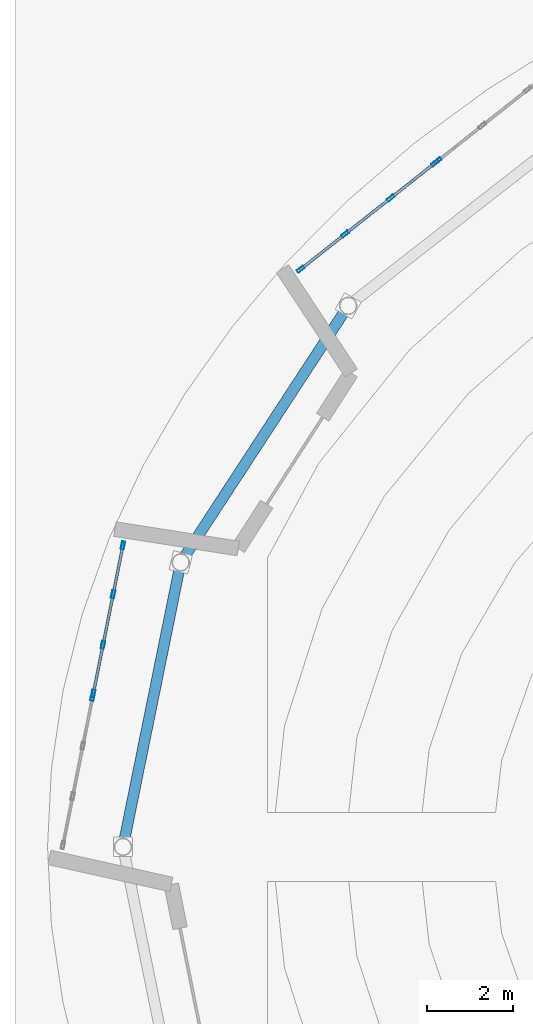
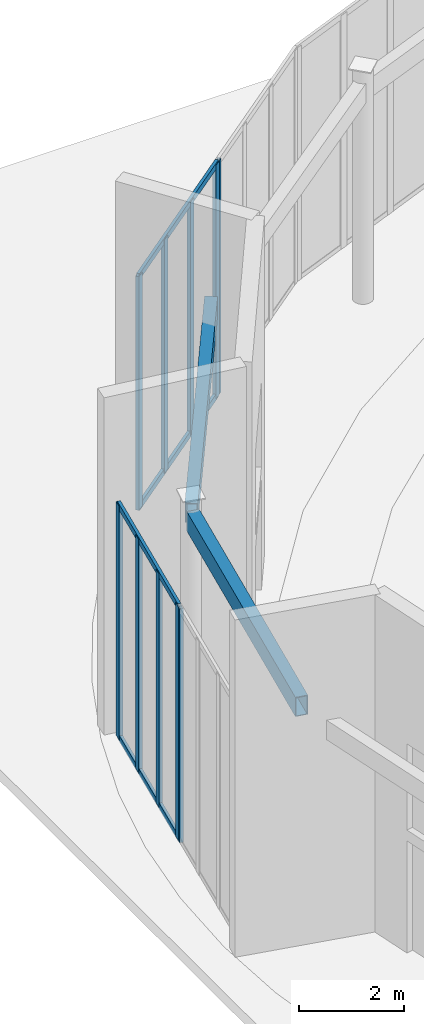
# One storey, part 38 of 94: 14 members, 2 beams, 4 elements without a shape of their own.
"""IFC4 building model written with IfcOpenShell, lengths in metres."""

import ifcopenshell
import ifcopenshell.guid

model = None  # the IFC model being written
_history = None  # IfcOwnerHistory: only IFC2X3 demands one
_inside = {}  # id of a spatial element -> (the spatial element, [elements in it])
_under = {}  # id of a project, library or spatial element -> (it, [spatial elements below it])
_declared = {}  # id of a project -> (the project, [libraries it declares])
_typed = {}  # id of a type object -> (the type object, [elements of that type])
_made_of = {}  # id of a material, layer set ... -> (it, [elements and type objects made of it])


def new_model(schema):
    """Start an empty IFC model of exactly this schema.

    Asked for "IFC4X3", IfcOpenShell would pick the latest addendum, in which some entities
    have other attributes; the version numbers below select the first issue.
    IFC2X3 requires an IfcOwnerHistory on every rooted entity: one is made here for all.
    """
    global model, _history
    if schema == "IFC4X3":
        model = ifcopenshell.file(schema_version=(4, 3, 0, 0))
    else:
        model = ifcopenshell.file(schema=schema)
    _inside.clear()
    _under.clear()
    _declared.clear()
    _typed.clear()
    _made_of.clear()
    _history = None
    if model.schema == "IFC2X3":
        org = make("IfcOrganization", Name="unknown")
        user = make(
            "IfcPersonAndOrganization",
            ThePerson=make("IfcPerson", FamilyName="unknown"),
            TheOrganization=org,
        )
        app = make(
            "IfcApplication",
            ApplicationDeveloper=org,
            Version="unknown",
            ApplicationFullName="unknown",
            ApplicationIdentifier="unknown",
        )
        _history = make(
            "IfcOwnerHistory",
            OwningUser=user,
            OwningApplication=app,
            ChangeAction="ADDED",
            CreationDate=0,
        )
    return model


def make(cls, **values):
    """One entity of the class cls with the attributes given. An attribute that is None is left unset."""
    return model.create_entity(
        cls, **{name: value for name, value in values.items() if value is not None}
    )


def rooted(cls, **values):
    """An entity with a GlobalId (a new one), such as an element, a storey or a relation."""
    return make(cls, GlobalId=ifcopenshell.guid.new(), OwnerHistory=_history, **values)


def si_unit(unit_type, name, prefix=None):
    """IfcSIUnit, for example si_unit("LENGTHUNIT", "METRE", prefix="MILLI")."""
    return make("IfcSIUnit", UnitType=unit_type, Prefix=prefix, Name=name)


def assignment(units):
    """IfcUnitAssignment: the units of a project."""
    return None if units is None else make("IfcUnitAssignment", Units=units)


def point(xyz):
    """IfcCartesianPoint."""
    return None if xyz is None else make("IfcCartesianPoint", Coordinates=xyz)


def direction(xyz):
    """IfcDirection."""
    return None if xyz is None else make("IfcDirection", DirectionRatios=xyz)


def frame(location, z_axis=None, x_axis=None):
    """IfcAxis2Placement3D, a coordinate frame: its origin and axes. An axis left out is left unset."""
    return make(
        "IfcAxis2Placement3D",
        Location=point(location),
        Axis=direction(z_axis),
        RefDirection=direction(x_axis),
    )


def frame_2d(location, x_axis=None):
    """IfcAxis2Placement2D, a coordinate frame in the plane: its origin and x axis."""
    return make(
        "IfcAxis2Placement2D", Location=point(location), RefDirection=direction(x_axis)
    )


def origin():
    """The frame at (0, 0, 0) with its axes left unset."""
    return frame((0.0, 0.0, 0.0))


def origin_2d():
    """The frame at (0, 0) in the plane with its x axis left unset."""
    return frame_2d((0.0, 0.0))


def place(relative_to, where):
    """IfcLocalPlacement: puts the frame where relative to a parent placement (None: the world)."""
    return make(
        "IfcLocalPlacement", PlacementRelTo=relative_to, RelativePlacement=where
    )


def context(
    kind, dimensions, precision=None, world=None, true_north=None, identifier=None
):
    """IfcGeometricRepresentationContext, for example the 3D "Model" context."""
    return make(
        "IfcGeometricRepresentationContext",
        ContextIdentifier=identifier,
        ContextType=kind,
        CoordinateSpaceDimension=dimensions,
        Precision=precision,
        WorldCoordinateSystem=world,
        TrueNorth=true_north,
    )


def subcontext(parent, identifier, kind, view, scale=None):
    """IfcGeometricRepresentationSubContext, for example "Body" below "Model"."""
    return make(
        "IfcGeometricRepresentationSubContext",
        ContextIdentifier=identifier,
        ContextType=kind,
        ParentContext=parent,
        TargetScale=scale,
        TargetView=view,
    )


def project(units=None, contexts=None):
    """IfcProject with its units and contexts."""
    return rooted(
        "IfcProject",
        Name="project",
        RepresentationContexts=contexts,
        UnitsInContext=assignment(units),
    )


def spatial(cls, under=None, at=None, **own):
    """A site, building, storey or space (cls), placed at a placement, below another one or the project."""
    s = rooted(cls, ObjectPlacement=at, **own)
    if under is not None:
        _under.setdefault(under.id(), (under, []))[1].append(s)
    return s


def profile(cls, at=None, kind="AREA", **sizes):
    """A parametric profile (cls). Its sizes go by their IFC names, for example OverallWidth=200.0."""
    return make(cls, ProfileType=kind, Position=at, **sizes)


def hollow_rectangle(**sizes):
    """IfcRectangleHollowProfileDef."""
    return profile("IfcRectangleHollowProfileDef", **sizes)


def extrude(swept, where, along, depth):
    """IfcExtrudedAreaSolid: the profile swept, set in the frame where, extruded along a direction by depth."""
    return make(
        "IfcExtrudedAreaSolid",
        SweptArea=swept,
        Position=where,
        ExtrudedDirection=direction(along),
        Depth=depth,
    )


def shape(context_of_items, identifier, shape_type, items):
    """IfcShapeRepresentation: the items that make up one representation, for example the "Body"."""
    return make(
        "IfcShapeRepresentation",
        ContextOfItems=context_of_items,
        RepresentationIdentifier=identifier,
        RepresentationType=shape_type,
        Items=items,
    )


def material(Name=None, Category=None):
    """IfcMaterial."""
    return make("IfcMaterial", Name=Name, Category=Category)


def layer(
    of_material, thickness, ventilated=None, Name=None, Category=None, Priority=None
):
    """IfcMaterialLayer: one layer of a wall or slab, of a material (None: an air gap)."""
    return make(
        "IfcMaterialLayer",
        Material=of_material,
        LayerThickness=thickness,
        IsVentilated=ventilated,
        Name=Name,
        Category=Category,
        Priority=Priority,
    )


def layer_set(layers, Name=None):
    """IfcMaterialLayerSet."""
    return make("IfcMaterialLayerSet", MaterialLayers=layers, LayerSetName=Name)


def material_profile(
    of_material, cross_section, Name=None, Category=None, Priority=None
):
    """IfcMaterialProfile: a cross section and its material."""
    return make(
        "IfcMaterialProfile",
        Name=Name,
        Material=of_material,
        Profile=cross_section,
        Priority=Priority,
        Category=Category,
    )


def profile_set(profiles, Name=None, composite=None):
    """IfcMaterialProfileSet."""
    return make(
        "IfcMaterialProfileSet",
        Name=Name,
        MaterialProfiles=profiles,
        CompositeProfile=composite,
    )


def made_of(thing, what):
    """Note that an element or type object is made of a material, layer set ...; save() writes the relation."""
    if what is not None:
        _made_of.setdefault(what.id(), (what, []))[1].append(thing)
    return thing


def type_object(cls, material=None, **own):
    """A type object (cls), such as IfcWallType, which elements share."""
    return made_of(rooted(cls, **own), material)


def element(
    cls,
    number,
    at=None,
    inside=None,
    cuts=None,
    type_object=None,
    material=None,
    context=None,
    identifier="Body",
    shape_type=None,
    held_by="IfcProductDefinitionShape",
    body=None,
    shapes=None,
    **own,
):
    """One element of the class cls, such as IfcWall. Its Tag is "e" and its number.

    at: its placement. inside: the storey or other place that contains it. cuts: it is an
    opening in that element (IfcRelVoidsElement). A single representation is given by context,
    identifier, shape_type and body (its items); several are given by shapes. held_by: the class
    of the entity that holds the representations. save() writes the other relations.
    """
    e = rooted(cls, Tag="e%d" % number, ObjectPlacement=at, **own)
    if body is not None:
        shapes = [shape(context, identifier, shape_type, body)]
    if shapes is not None:
        e.Representation = make(held_by, Representations=shapes)
    if inside is not None:
        _inside.setdefault(inside.id(), (inside, []))[1].append(e)
    if cuts is not None:
        rooted(
            "IfcRelVoidsElement", RelatingBuildingElement=cuts, RelatedOpeningElement=e
        )
    if type_object is not None:
        _typed.setdefault(type_object.id(), (type_object, []))[1].append(e)
    return made_of(e, material)


def aggregate(whole, parts):
    """IfcRelAggregates: a whole, such as a stair, and the parts it consists of."""
    return rooted("IfcRelAggregates", RelatingObject=whole, RelatedObjects=parts)


def save(model, path):
    """Write the relations noted so far, then the file.

    IfcRelAggregates (storeys below a building ...), IfcRelContainedInSpatialStructure (elements
    in a storey), IfcRelDefinesByType, IfcRelAssociatesMaterial and IfcRelDeclares: one each for
    every whole, place, type object, material and project.
    """
    for whole, parts in _under.values():
        aggregate(whole, parts)
    for where, things in _inside.values():
        rooted(
            "IfcRelContainedInSpatialStructure",
            RelatedElements=things,
            RelatingStructure=where,
        )
    for kind, things in _typed.values():
        rooted("IfcRelDefinesByType", RelatedObjects=things, RelatingType=kind)
    for what, things in _made_of.values():
        rooted("IfcRelAssociatesMaterial", RelatedObjects=things, RelatingMaterial=what)
    for by, libraries in _declared.values():
        rooted("IfcRelDeclares", RelatingContext=by, RelatedDefinitions=libraries)
    model.write(path)


model = new_model("IFC4")

# Units and contexts
model_context = context("Model", 3, precision=1e-05, world=origin(), true_north=direction((0.0, 1.0)))
body_context = subcontext(model_context, "Body", "Model", "MODEL_VIEW")
ifc_project = project(units=[si_unit("LENGTHUNIT", "METRE"), si_unit("AREAUNIT", "SQUARE_METRE"), si_unit("VOLUMEUNIT", "CUBIC_METRE"), si_unit("PLANEANGLEUNIT", "RADIAN"), si_unit("MASSUNIT", "GRAM", prefix="KILO")], contexts=[model_context])

# Site, building, storey
site_placement = place(None, origin())
site = spatial("IfcSite", under=ifc_project, at=site_placement, CompositionType="ELEMENT")
building_placement = place(site_placement, origin())
building = spatial("IfcBuilding", under=site, at=building_placement, Name="Sollismere Congress Hotel", CompositionType="ELEMENT")
storey_placement = place(building_placement, origin())
storey = spatial("IfcBuildingStorey", under=building, at=storey_placement, Name="L00", CompositionType="ELEMENT", Elevation=0.0)

# Beams
ifc_material_1 = material(Name="Steel ASTM A500 Grade C", Category="steel")
ifc_material_profile_1 = material_profile(ifc_material_1, hollow_rectangle(XDim=0.25, YDim=0.449951171875, WallThickness=0.01611328125, at=origin_2d()), Name="HSS450X250X16")
ifc_profile_set_1 = profile_set([ifc_material_profile_1], Name="Steel ASTM A500 Grade C")
beam_type = type_object("IfcBeamType", Name="BM-BX450", PredefinedType="HOLLOWCORE", material=ifc_profile_set_1)
beam_1_placement = place(storey_placement, frame((6.807861328125, 102.8486328125, 4.889892578125), z_axis=(-0.546593071312, -0.837398360635, 0.0), x_axis=(0.837398360635, -0.546593071312, 0.0)))
element("IfcBeam", 1, at=beam_1_placement, inside=storey, type_object=beam_type, Name="Beam BM-L00-4174", PredefinedType="HOLLOWCORE", context=body_context, shape_type="SweptSolid", body=[
    extrude(hollow_rectangle(XDim=0.25, YDim=0.449951171875, WallThickness=0.01611328125, at=origin_2d()), origin(), (0.0, 0.0, 1.0), 6.867431640625),
])
beam_2_placement = place(storey_placement, frame((2.964599609375, 96.8798828125, 4.889892578125), z_axis=(-0.198827417532, -0.980034518799, 0.0), x_axis=(0.980034518799, -0.198827417532, 0.0)))
element("IfcBeam", 2, at=beam_2_placement, inside=storey, type_object=beam_type, Name="Beam BM-L00-4175", PredefinedType="HOLLOWCORE", context=body_context, shape_type="SweptSolid", body=[
    extrude(hollow_rectangle(XDim=0.25, YDim=0.449951171875, WallThickness=0.01611328125, at=origin_2d()), origin(), (0.0, 0.0, 1.0), 6.491943359375),
])

# Curtain wall, member
ifc_material_2 = material(Name="Anodized Bronze Curtain Wall & Low-E Triple Glazing", Category="glass")
ifc_layer = layer(ifc_material_2, 0.199951171875, Name="Anodized Bronze Curtain Wall & Low-E Triple Glazing")
ifc_layer_set = layer_set([ifc_layer], Name="Anodized Bronze Curtain Wall & Low-E Triple Glazing")
curtain_wall_type = type_object("IfcCurtainWallType", Name="CW-GLZ36", PredefinedType="USERDEFINED", material=ifc_layer_set)
curtain_wall_1_placement = place(storey_placement, origin())
curtain_wall_1 = element("IfcCurtainWall", 3, at=curtain_wall_1_placement, inside=storey, type_object=curtain_wall_type, Name="Unitised curtain wall CW-L00-027", ObjectType="UNITISED CURTAIN WALL", PredefinedType="USERDEFINED")
ifc_material_3 = material(Name="Anodized Aluminum 6063-T6", Category="aluminium")
ifc_material_profile_2 = material_profile(ifc_material_3, hollow_rectangle(XDim=0.074951171875, YDim=0.179931640625, WallThickness=0.0048828125, at=origin_2d()), Name="ALU180X75X5")
ifc_profile_set_2 = profile_set([ifc_material_profile_2], Name="Anodized Aluminum 6063-T6")
member_type_1 = type_object("IfcMemberType", Name="ML-CW180", PredefinedType="MULLION", material=ifc_profile_set_2)
member_1_placement = place(storey_placement, frame((8.95068359375, 106.312255859375, 0.0), z_axis=(0.0, 0.0, 1.0), x_axis=(0.620532077362, -0.784181063891, 0.0)))
member_1 = element("IfcMember", 4, at=member_1_placement, type_object=member_type_1, Name="CWL-CW-L00-027-ML04", PredefinedType="MULLION", context=body_context, shape_type="SweptSolid", body=[
    extrude(hollow_rectangle(XDim=0.074951171875, YDim=0.179931640625, WallThickness=0.0048828125, at=origin_2d()), origin(), (0.0, 0.0, 1.0), 5.419921875),
])
aggregate(curtain_wall_1, [member_1])

# Curtain wall, members
curtain_wall_2_placement = place(storey_placement, origin())
curtain_wall_2 = element("IfcCurtainWall", 5, at=curtain_wall_2_placement, inside=storey, type_object=curtain_wall_type, Name="Unitised curtain wall CW-L00-028", ObjectType="UNITISED CURTAIN WALL", PredefinedType="USERDEFINED")
member_2_placement = place(storey_placement, frame((8.89111328125, 106.264892578125, 0.0), z_axis=(0.0, 0.0, 1.0), x_axis=(0.620532077362, -0.784181063891, 0.0)))
member_2 = element("IfcMember", 6, at=member_2_placement, type_object=member_type_1, Name="CWL-CW-L00-028-ML01", PredefinedType="MULLION", context=body_context, shape_type="SweptSolid", body=[
    extrude(hollow_rectangle(XDim=0.074951171875, YDim=0.179931640625, WallThickness=0.0048828125, at=origin_2d()), origin(), (0.0, 0.0, 1.0), 5.419921875),
])
member_3_placement = place(storey_placement, frame((7.86083984375, 105.44970703125, 0.0), z_axis=(0.0, 0.0, 1.0), x_axis=(0.620532077362, -0.784181063891, 0.0)))
member_3 = element("IfcMember", 7, at=member_3_placement, type_object=member_type_1, Name="CWL-CW-L00-028-ML02", PredefinedType="MULLION", context=body_context, shape_type="SweptSolid", body=[
    extrude(hollow_rectangle(XDim=0.074951171875, YDim=0.179931640625, WallThickness=0.0048828125, at=origin_2d()), origin(), (0.0, 0.0, 1.0), 5.419921875),
])
member_4_placement = place(storey_placement, frame((6.80078125, 104.61083984375, 0.0), z_axis=(0.0, 0.0, 1.0), x_axis=(0.620532077362, -0.784181063891, 0.0)))
member_4 = element("IfcMember", 8, at=member_4_placement, type_object=member_type_1, Name="CWL-CW-L00-028-ML03", PredefinedType="MULLION", context=body_context, shape_type="SweptSolid", body=[
    extrude(hollow_rectangle(XDim=0.074951171875, YDim=0.179931640625, WallThickness=0.0048828125, at=origin_2d()), origin(), (0.0, 0.0, 1.0), 5.419921875),
])
member_5_placement = place(storey_placement, frame((5.7705078125, 103.795654296875, 0.0), z_axis=(0.0, 0.0, 1.0), x_axis=(0.620532077362, -0.784181063891, 0.0)))
member_5 = element("IfcMember", 9, at=member_5_placement, type_object=member_type_1, Name="CWL-CW-L00-028-ML04", PredefinedType="MULLION", context=body_context, shape_type="SweptSolid", body=[
    extrude(hollow_rectangle(XDim=0.074951171875, YDim=0.179931640625, WallThickness=0.0048828125, at=origin_2d()), origin(), (0.0, 0.0, 1.0), 5.419921875),
])

curtain_wall_3_placement = place(storey_placement, origin())
curtain_wall_3 = element("IfcCurtainWall", 10, at=curtain_wall_3_placement, inside=storey, type_object=curtain_wall_type, Name="Unitised curtain wall CW-L00-037", ObjectType="UNITISED CURTAIN WALL", PredefinedType="USERDEFINED")
member_6_placement = place(storey_placement, frame((1.649658203125, 97.392822265625, 0.0), z_axis=(0.0, 0.0, 1.0), x_axis=(0.98055305186, -0.196254203749, 0.0)))
member_6 = element("IfcMember", 11, at=member_6_placement, type_object=member_type_1, Name="CWL-CW-L00-037-ML01", PredefinedType="MULLION", context=body_context, shape_type="SweptSolid", body=[
    extrude(hollow_rectangle(XDim=0.074951171875, YDim=0.179931640625, WallThickness=0.0048828125, at=origin_2d()), origin(), (0.0, 0.0, 1.0), 5.419921875),
])
member_7_placement = place(storey_placement, frame((1.422607421875, 96.25830078125, 0.0), z_axis=(0.0, 0.0, 1.0), x_axis=(0.98055305186, -0.196254203749, 0.0)))
member_7 = element("IfcMember", 12, at=member_7_placement, type_object=member_type_1, Name="CWL-CW-L00-037-ML02", PredefinedType="MULLION", context=body_context, shape_type="SweptSolid", body=[
    extrude(hollow_rectangle(XDim=0.074951171875, YDim=0.179931640625, WallThickness=0.0048828125, at=origin_2d()), origin(), (0.0, 0.0, 1.0), 5.419921875),
])
member_8_placement = place(storey_placement, frame((1.18798828125, 95.086669921875, 0.0), z_axis=(0.0, 0.0, 1.0), x_axis=(0.98055305186, -0.196254203749, 0.0)))
member_8 = element("IfcMember", 13, at=member_8_placement, type_object=member_type_1, Name="CWL-CW-L00-037-ML03", PredefinedType="MULLION", context=body_context, shape_type="SweptSolid", body=[
    extrude(hollow_rectangle(XDim=0.074951171875, YDim=0.179931640625, WallThickness=0.0048828125, at=origin_2d()), origin(), (0.0, 0.0, 1.0), 5.419921875),
])
member_9_placement = place(storey_placement, frame((0.9609375, 93.952392578125, 0.0), z_axis=(0.0, 0.0, 1.0), x_axis=(0.98055305186, -0.196254203749, 0.0)))
member_9 = element("IfcMember", 14, at=member_9_placement, type_object=member_type_1, Name="CWL-CW-L00-037-ML04", PredefinedType="MULLION", context=body_context, shape_type="SweptSolid", body=[
    extrude(hollow_rectangle(XDim=0.074951171875, YDim=0.179931640625, WallThickness=0.0048828125, at=origin_2d()), origin(), (0.0, 0.0, 1.0), 5.419921875),
])

# Curtain wall, member
curtain_wall_4_placement = place(storey_placement, origin())
curtain_wall_4 = element("IfcCurtainWall", 15, at=curtain_wall_4_placement, inside=storey, type_object=curtain_wall_type, Name="Unitised curtain wall CW-L00-038", ObjectType="UNITISED CURTAIN WALL", PredefinedType="USERDEFINED")
member_10_placement = place(storey_placement, frame((0.946044921875, 93.877685546875, 0.0), z_axis=(0.0, 0.0, 1.0), x_axis=(0.98055305186, -0.196254203749, 0.0)))
member_10 = element("IfcMember", 16, at=member_10_placement, type_object=member_type_1, Name="CWL-CW-L00-038-ML01", PredefinedType="MULLION", context=body_context, shape_type="SweptSolid", body=[
    extrude(hollow_rectangle(XDim=0.074951171875, YDim=0.179931640625, WallThickness=0.0048828125, at=origin_2d()), origin(), (0.0, 0.0, 1.0), 5.419921875),
])
aggregate(curtain_wall_4, [member_10])

# Member
ifc_material_profile_3 = material_profile(ifc_material_3, hollow_rectangle(XDim=0.06494140625, YDim=0.139892578125, WallThickness=0.00390625, at=origin_2d()), Name="ALU140X65X4")
ifc_profile_set_3 = profile_set([ifc_material_profile_3], Name="Anodized Aluminum 6063-T6")
member_type_2 = type_object("IfcMemberType", Name="TR-CW150", PredefinedType="MEMBER", material=ifc_profile_set_3)
member_11_placement = place(storey_placement, frame((8.9208984375, 106.28857421875, 0.032470703125), z_axis=(-0.78419961589, -0.620508632042, 0.0), x_axis=(0.620508632042, -0.78419961589, 0.0)))
member_11 = element("IfcMember", 17, at=member_11_placement, type_object=member_type_2, Name="CWL-CW-L00-028-TR1", PredefinedType="MEMBER", context=body_context, shape_type="SweptSolid", body=[
    extrude(hollow_rectangle(XDim=0.06494140625, YDim=0.139892578125, WallThickness=0.00390625, at=origin_2d()), origin(), (0.0, 0.0, 1.0), 4.055419921875),
])

member_12_placement = place(storey_placement, frame((8.9208984375, 106.28857421875, 5.387451171875), z_axis=(-0.78419961589, -0.620508632042, 0.0), x_axis=(0.620508632042, -0.78419961589, 0.0)))
member_12 = element("IfcMember", 18, at=member_12_placement, type_object=member_type_2, Name="CWL-CW-L00-028-TR2", PredefinedType="MEMBER", context=body_context, shape_type="SweptSolid", body=[
    extrude(hollow_rectangle(XDim=0.06494140625, YDim=0.139892578125, WallThickness=0.00390625, at=origin_2d()), origin(), (0.0, 0.0, 1.0), 4.055419921875),
])

aggregate(curtain_wall_2, [member_2, member_3, member_4, member_5, member_11, member_12])

member_13_placement = place(storey_placement, frame((1.656982421875, 97.43017578125, 0.032470703125), z_axis=(-0.196207812831, -0.980562335695, 0.0), x_axis=(0.980562335695, -0.196207812831, 0.0)))
member_13 = element("IfcMember", 19, at=member_13_placement, type_object=member_type_2, Name="CWL-CW-L00-037-TR1", PredefinedType="MEMBER", context=body_context, shape_type="SweptSolid", body=[
    extrude(hollow_rectangle(XDim=0.06494140625, YDim=0.139892578125, WallThickness=0.00390625, at=origin_2d()), origin(), (0.0, 0.0, 1.0), 3.584716796875),
])

member_14_placement = place(storey_placement, frame((1.656982421875, 97.43017578125, 5.387451171875), z_axis=(-0.196207812831, -0.980562335695, 0.0), x_axis=(0.980562335695, -0.196207812831, 0.0)))
member_14 = element("IfcMember", 20, at=member_14_placement, type_object=member_type_2, Name="CWL-CW-L00-037-TR2", PredefinedType="MEMBER", context=body_context, shape_type="SweptSolid", body=[
    extrude(hollow_rectangle(XDim=0.06494140625, YDim=0.139892578125, WallThickness=0.00390625, at=origin_2d()), origin(), (0.0, 0.0, 1.0), 3.584716796875),
])

aggregate(curtain_wall_3, [member_6, member_7, member_8, member_9, member_13, member_14])

save(model, "model.ifc")
